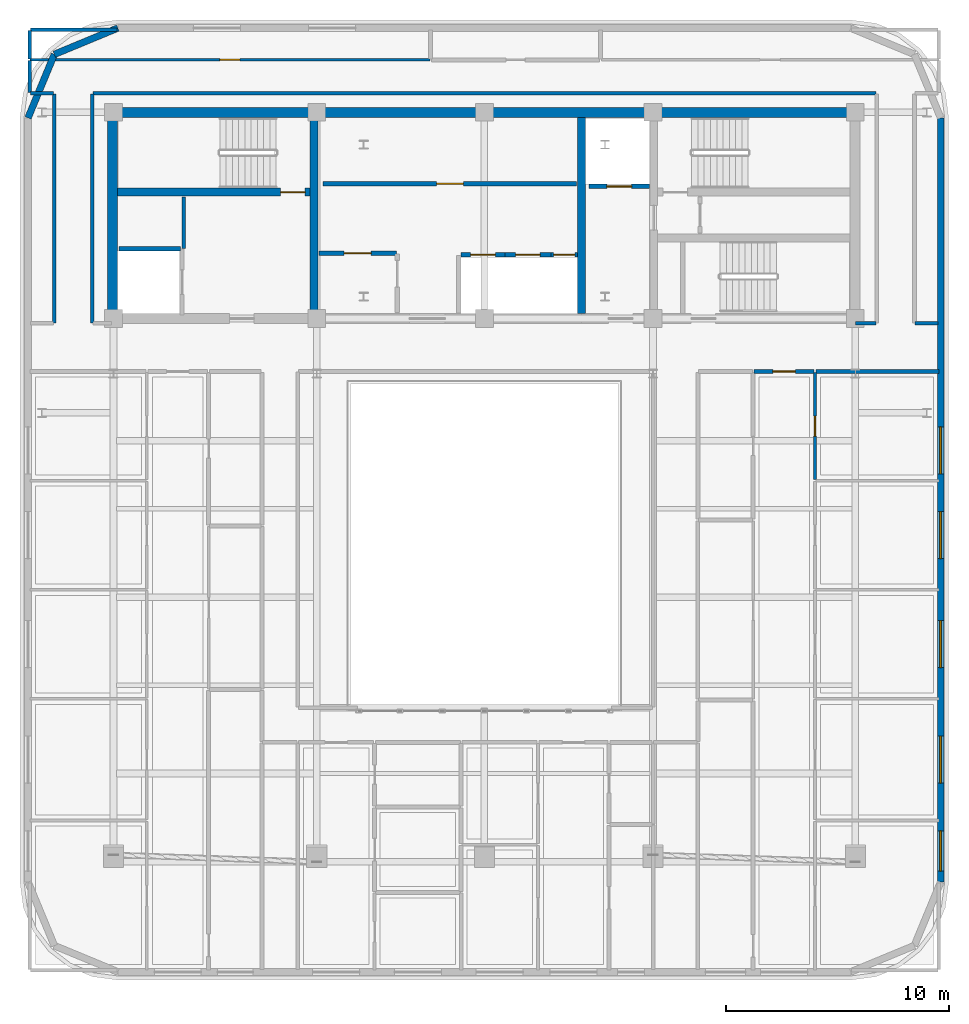
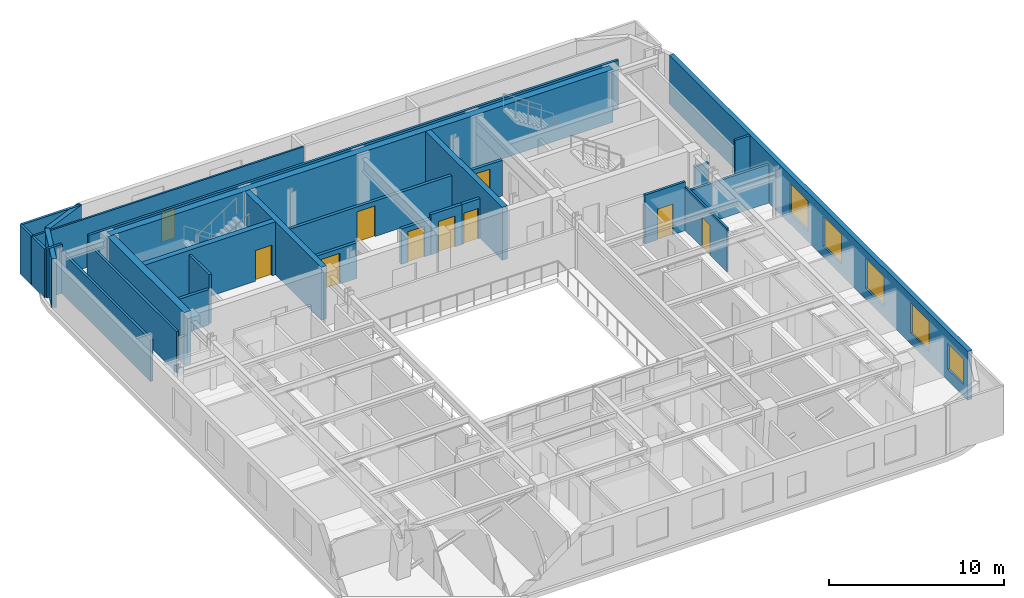
# One storey, part 9 of 13: 29 walls, 10 doors, 5 windows, 15 openings.
"""IFC4 building model written with IfcOpenShell, lengths in metres."""

from ifc_helpers import new_model, si_unit, direction, frame, frame_2d, origin, place, context, subcontext, project, spatial, rectangle, extrude, material, layer, layer_set, type_object, element, fill, save


model = new_model("IFC4")

# Units and contexts
model_context = context("Model", 3, precision=1e-05, world=origin(), true_north=direction((0.0, 1.0)))
body_context = subcontext(model_context, "Body", "Model", "MODEL_VIEW")
ifc_project = project(units=[si_unit("LENGTHUNIT", "METRE"), si_unit("AREAUNIT", "SQUARE_METRE"), si_unit("VOLUMEUNIT", "CUBIC_METRE"), si_unit("PLANEANGLEUNIT", "RADIAN"), si_unit("MASSUNIT", "GRAM", prefix="KILO")], contexts=[model_context])

# Site, building, storey
site_placement = place(None, origin())
site = spatial("IfcSite", under=ifc_project, at=site_placement, CompositionType="ELEMENT")
building_placement = place(site_placement, origin())
building = spatial("IfcBuilding", under=site, at=building_placement, Name="Zarnavel Station Tower", CompositionType="ELEMENT")
storey_placement = place(building_placement, frame((0.0, 0.0, 247.300048828125)))
storey = spatial("IfcBuildingStorey", under=building, at=storey_placement, Name="L67", CompositionType="ELEMENT", Elevation=247.300048828125)

# Walls
ifc_material_1 = material(Name="Concrete C50/60", Category="concrete")
ifc_layer_1 = layer(ifc_material_1, 0.35009765625)
ifc_layer_set_1 = layer_set([ifc_layer_1], Name="CW_350")
wall_type_1 = type_object("IfcWallType", Name="CW_350", PredefinedType="SHEAR", material=ifc_layer_set_1)
for number, where, z_axis, x_axis, name in (
    (1, (21.179931640625, 28.044921875, 0.0), (0.0, 0.0, 1.0), (0.0, 1.0, 0.0), "L67 Rear Core Shear Wall DIV-W"),
    (2, (33.14990234375, 28.044921875, 0.0), (0.0, 0.0, 1.0), (0.0, 1.0, 0.0), "L67 Rear Core Shear Wall DIV-E"),
):
    element("IfcWall", number, at=place(storey_placement, frame(where, z_axis=z_axis, x_axis=x_axis)), inside=storey, type_object=wall_type_1, Name=name, PredefinedType="SHEAR", context=body_context, shape_type="SweptSolid", body=[
        extrude(rectangle(XDim=8.780029296875, YDim=0.35009765625, at=frame_2d((4.39013671875, 0.0))), origin(), (0.0, 0.0, 1.0), 3.699951171875),
    ])

# Wall, opening, door
wall_1_placement = place(storey_placement, frame((21.0048828125, 33.47998046875, 0.0), z_axis=(0.0, 0.0, 1.0), x_axis=(-1.0, 0.0, 0.0)))
wall_1 = element("IfcWall", 3, at=wall_1_placement, inside=storey, type_object=wall_type_1, Name="L67 Rear Core Shear Wall DIV-H1", PredefinedType="SHEAR", context=body_context, shape_type="SweptSolid", body=[
    extrude(rectangle(XDim=8.6298828125, YDim=0.35009765625, at=frame_2d((4.31494140625, 0.0))), origin(), (0.0, 0.0, 1.0), 3.699951171875),
])
opening_1_placement = place(wall_1_placement, frame((0.219970703125, 0.0, 0.0)))
opening_1 = element("IfcOpeningElement", 4, at=opening_1_placement, cuts=wall_1, Name="Opening FD01", PredefinedType="OPENING", context=body_context, shape_type="SweptSolid", body=[
    extrude(rectangle(XDim=1.10009765625, YDim=2.14990234375, at=frame_2d((0.550048828125, 1.074951171875))), frame((0.0, 0.18505859375, 0.0), z_axis=(0.0, -1.0, 0.0), x_axis=(1.0, 0.0, 0.0)), (0.0, 0.0, 1.0), 0.3701171875),
])
ifc_material_2 = material(Name="Painted Galvanised Steel and Hardwood Leaf", Category="steel")
door_type_1 = type_object("IfcDoorType", Name="ID_STAIR_1100", OperationType="NOTDEFINED", PredefinedType="DOOR", material=ifc_material_2)
door_1_placement = place(opening_1_placement, origin())
door_1 = element("IfcDoor", 5, at=door_1_placement, inside=storey, type_object=door_type_1, Name="L67 Stair ST1 Lobby Fire Door", OperationType="SINGLE_SWING_LEFT", OverallHeight=2.14990234375, OverallWidth=1.10009765625, PredefinedType="DOOR", context=body_context, shape_type="SweptSolid", body=[
    extrude(rectangle(XDim=1.10009765625, YDim=2.14990234375, at=frame_2d((0.550048828125, 1.074951171875))), frame((0.0, 0.02490234375, 0.0), z_axis=(0.0, -1.0, 0.0), x_axis=(1.0, 0.0, 0.0)), (0.0, 0.0, 1.0), 0.050048828125),
])
fill(opening_1, door_1)

# Walls
ifc_material_3 = material(Name="Concrete C50/60", Category="concrete")
ifc_layer_2 = layer(ifc_material_3, 0.449951171875)
ifc_layer_set_2 = layer_set([ifc_layer_2], Name="CW_450")
wall_type_2 = type_object("IfcWallType", Name="CW_450", PredefinedType="SHEAR", material=ifc_layer_set_2)
wall_2_placement = place(storey_placement, frame((12.14990234375, 37.050048828125, 0.0), z_axis=(0.0, 0.0, 1.0), x_axis=(1.0, 0.0, 0.0)))
element("IfcWall", 6, at=wall_2_placement, inside=storey, type_object=wall_type_2, Name="L67 Rear Core Shear Wall N", PredefinedType="SHEAR", context=body_context, shape_type="SweptSolid", body=[
    extrude(rectangle(XDim=33.22998046875, YDim=0.449951171875, at=frame_2d((16.614990234375, 0.0))), origin(), (0.0, 0.0, 1.0), 3.699951171875),
])
wall_3_placement = place(storey_placement, frame((12.14990234375, 28.044921875, 0.0), z_axis=(0.0, 0.0, 1.0), x_axis=(0.0, 1.0, 0.0)))
element("IfcWall", 7, at=wall_3_placement, inside=storey, type_object=wall_type_2, Name="L67 Rear Core Shear Wall W", PredefinedType="SHEAR", context=body_context, shape_type="SweptSolid", body=[
    extrude(rectangle(XDim=8.780029296875, YDim=0.449951171875, at=frame_2d((4.39013671875, 0.0))), origin(), (0.0, 0.0, 1.0), 3.699951171875),
])

# Wall, openings, windows
ifc_material_4 = material(Name="Precast concrete C45/55 (Dark Basalt Finish)", Category="masonry")
ifc_layer_3 = layer(ifc_material_4, 0.300048828125)
ifc_layer_set_3 = layer_set([ifc_layer_3], Name="EW_BASALT_300")
wall_type_3 = type_object("IfcWallType", Name="EW_BASALT_300", PredefinedType="SOLIDWALL", material=ifc_layer_set_3)
wall_4_placement = place(storey_placement, frame((49.219970703125, 36.800048828125, 0.0), z_axis=(0.0, 0.0, 1.0), x_axis=(0.0, -1.0, 0.0)))
wall_4 = element("IfcWall", 8, at=wall_4_placement, inside=storey, type_object=wall_type_3, Name="L67 Exterior Basalt Masonry Frame Wall 03", PredefinedType="SOLIDWALL", context=body_context, shape_type="SweptSolid", body=[
    extrude(rectangle(XDim=34.199951171875, YDim=0.300048828125, at=frame_2d((17.10009765625, 0.0))), origin(), (0.0, 0.0, 1.0), 3.419921875),
])
opening_2_placement = place(wall_4_placement, frame((31.91162109375, 0.0, 0.800048828125)))
opening_2 = element("IfcOpeningElement", 9, at=opening_2_placement, cuts=wall_4, Name="Opening WN02", PredefinedType="OPENING", context=body_context, shape_type="SweptSolid", body=[
    extrude(rectangle(XDim=1.800048828125, YDim=1.800048828125, at=frame_2d((0.89990234375, 0.89990234375))), frame((0.0, 0.159912109375, 0.0), z_axis=(0.0, -1.0, 0.0), x_axis=(1.0, 0.0, 0.0)), (0.0, 0.0, 1.0), 0.320068359375),
])
opening_3_placement = place(wall_4_placement, frame((27.66845703125, 0.0, 0.75)))
opening_3 = element("IfcOpeningElement", 10, at=opening_3_placement, cuts=wall_4, Name="Opening WN05", PredefinedType="OPENING", context=body_context, shape_type="SweptSolid", body=[
    extrude(rectangle(XDim=2.10009765625, YDim=2.10009765625, at=frame_2d((1.050048828125, 1.050048828125))), frame((0.0, 0.159912109375, 0.0), z_axis=(0.0, -1.0, 0.0), x_axis=(1.0, 0.0, 0.0)), (0.0, 0.0, 1.0), 0.320068359375),
])
opening_4_placement = place(wall_4_placement, frame((22.50341796875, 0.0, 0.75)))
opening_4 = element("IfcOpeningElement", 11, at=opening_4_placement, cuts=wall_4, Name="Opening WN05", PredefinedType="OPENING", context=body_context, shape_type="SweptSolid", body=[
    extrude(rectangle(XDim=2.10009765625, YDim=2.10009765625, at=frame_2d((1.050048828125, 1.050048828125))), frame((0.0, 0.159912109375, 0.0), z_axis=(0.0, -1.0, 0.0), x_axis=(1.0, 0.0, 0.0)), (0.0, 0.0, 1.0), 0.320068359375),
])
opening_5_placement = place(wall_4_placement, frame((17.62255859375, 0.0, 0.75)))
opening_5 = element("IfcOpeningElement", 12, at=opening_5_placement, cuts=wall_4, Name="Opening WN05", PredefinedType="OPENING", context=body_context, shape_type="SweptSolid", body=[
    extrude(rectangle(XDim=2.10009765625, YDim=2.10009765625, at=frame_2d((1.050048828125, 1.050048828125))), frame((0.0, 0.159912109375, 0.0), z_axis=(0.0, -1.0, 0.0), x_axis=(1.0, 0.0, 0.0)), (0.0, 0.0, 1.0), 0.320068359375),
])
opening_6_placement = place(wall_4_placement, frame((13.83203125, 0.0, 0.75)))
opening_6 = element("IfcOpeningElement", 13, at=opening_6_placement, cuts=wall_4, Name="Opening WN05", PredefinedType="OPENING", context=body_context, shape_type="SweptSolid", body=[
    extrude(rectangle(XDim=2.10009765625, YDim=2.10009765625, at=frame_2d((1.050048828125, 1.050048828125))), frame((0.0, 0.159912109375, 0.0), z_axis=(0.0, -1.0, 0.0), x_axis=(1.0, 0.0, 0.0)), (0.0, 0.0, 1.0), 0.320068359375),
])
ifc_material_5 = material(Name="Thermally Broken Black Aluminium and Low-E Dark Glass", Category="aluminium")
window_type_1 = type_object("IfcWindowType", Name="WN_1800x1800", PartitioningType="DOUBLE_PANEL_VERTICAL", PredefinedType="WINDOW", material=ifc_material_5)
window_1_placement = place(opening_2_placement, origin())
window_1 = element("IfcWindow", 14, at=window_1_placement, inside=storey, type_object=window_type_1, Name="L67 Recessed Facade Window 01", OverallHeight=1.800048828125, OverallWidth=1.800048828125, PartitioningType="SINGLE_PANEL", PredefinedType="WINDOW", context=body_context, shape_type="SweptSolid", body=[
    extrude(rectangle(XDim=1.800048828125, YDim=1.800048828125, at=frame_2d((0.89990234375, 0.89990234375))), frame((0.0, 0.030029296875, 0.0), z_axis=(0.0, -1.0, 0.0), x_axis=(1.0, 0.0, 0.0)), (0.0, 0.0, 1.0), 0.06005859375),
])
fill(opening_2, window_1)
ifc_material_6 = material(Name="Thermally Broken Black Aluminium and Low-E Dark Glass", Category="aluminium")
window_type_2 = type_object("IfcWindowType", Name="WN_2100x2100", PartitioningType="TRIPLE_PANEL_VERTICAL", PredefinedType="WINDOW", material=ifc_material_6)
window_2_placement = place(opening_3_placement, origin())
window_2 = element("IfcWindow", 15, at=window_2_placement, inside=storey, type_object=window_type_2, Name="L67 Recessed Facade Window 02", OverallHeight=2.10009765625, OverallWidth=2.10009765625, PartitioningType="SINGLE_PANEL", PredefinedType="WINDOW", context=body_context, shape_type="SweptSolid", body=[
    extrude(rectangle(XDim=2.10009765625, YDim=2.10009765625, at=frame_2d((1.050048828125, 1.050048828125))), frame((0.0, 0.030029296875, 0.0), z_axis=(0.0, -1.0, 0.0), x_axis=(1.0, 0.0, 0.0)), (0.0, 0.0, 1.0), 0.06005859375),
])
fill(opening_3, window_2)
window_3_placement = place(opening_4_placement, origin())
window_3 = element("IfcWindow", 16, at=window_3_placement, inside=storey, type_object=window_type_2, Name="L67 Recessed Facade Window 03", OverallHeight=2.10009765625, OverallWidth=2.10009765625, PartitioningType="SINGLE_PANEL", PredefinedType="WINDOW", context=body_context, shape_type="SweptSolid", body=[
    extrude(rectangle(XDim=2.10009765625, YDim=2.10009765625, at=frame_2d((1.050048828125, 1.050048828125))), frame((0.0, 0.030029296875, 0.0), z_axis=(0.0, -1.0, 0.0), x_axis=(1.0, 0.0, 0.0)), (0.0, 0.0, 1.0), 0.06005859375),
])
fill(opening_4, window_3)
window_4_placement = place(opening_5_placement, origin())
window_4 = element("IfcWindow", 17, at=window_4_placement, inside=storey, type_object=window_type_2, Name="L67 Recessed Facade Window 04", OverallHeight=2.10009765625, OverallWidth=2.10009765625, PartitioningType="SINGLE_PANEL", PredefinedType="WINDOW", context=body_context, shape_type="SweptSolid", body=[
    extrude(rectangle(XDim=2.10009765625, YDim=2.10009765625, at=frame_2d((1.050048828125, 1.050048828125))), frame((0.0, 0.030029296875, 0.0), z_axis=(0.0, -1.0, 0.0), x_axis=(1.0, 0.0, 0.0)), (0.0, 0.0, 1.0), 0.06005859375),
])
fill(opening_5, window_4)
window_5_placement = place(opening_6_placement, origin())
window_5 = element("IfcWindow", 18, at=window_5_placement, inside=storey, type_object=window_type_2, Name="L67 Recessed Facade Window 05", OverallHeight=2.10009765625, OverallWidth=2.10009765625, PartitioningType="SINGLE_PANEL", PredefinedType="WINDOW", context=body_context, shape_type="SweptSolid", body=[
    extrude(rectangle(XDim=2.10009765625, YDim=2.10009765625, at=frame_2d((1.050048828125, 1.050048828125))), frame((0.0, 0.030029296875, 0.0), z_axis=(0.0, -1.0, 0.0), x_axis=(1.0, 0.0, 0.0)), (0.0, 0.0, 1.0), 0.06005859375),
])
fill(opening_6, window_5)

# Walls
for number, where, z_axis, x_axis, name in (
    (19, (9.557373046875, 39.642578125, 0.0), (0.0, 0.0, 1.0), (0.923870793506, 0.382704529509, 0.0), "L67 Exterior Basalt Masonry Frame Wall 07"),
    (20, (8.3798828125, 36.800048828125, 0.0), (0.0, 0.0, 1.0), (0.382704529509, 0.923870793506, 0.0), "L67 Exterior Basalt Masonry Frame Wall 08"),
):
    element("IfcWall", number, at=place(storey_placement, frame(where, z_axis=z_axis, x_axis=x_axis)), inside=storey, type_object=wall_type_3, Name=name, PredefinedType="SOLIDWALL", context=body_context, shape_type="SweptSolid", body=[
        extrude(rectangle(XDim=3.07666015625, YDim=0.300048828125, at=frame_2d((1.538330078125, 0.0))), origin(), (0.0, 0.0, 1.0), 3.419921875),
    ])

# Wall, opening, door
ifc_material_7 = material(Name="Gypsum Twin-Stud Acoustic Fire Partition", Category="concrete")
ifc_layer_4 = layer(ifc_material_7, 0.159912109375)
ifc_layer_set_4 = layer_set([ifc_layer_4], Name="PT_DEMISE_160")
wall_type_4 = type_object("IfcWallType", Name="PT_DEMISE_160", PredefinedType="PARTITIONING", material=ifc_layer_set_4)
wall_5_placement = place(storey_placement, frame((40.8720703125, 25.449951171875, 0.0), z_axis=(0.0, 0.0, 1.0), x_axis=(1.0, 0.0, 0.0)))
wall_5 = element("IfcWall", 21, at=wall_5_placement, inside=storey, type_object=wall_type_4, Name="L67 Partition COR-S-UE1LV", PredefinedType="PARTITIONING", context=body_context, shape_type="SweptSolid", body=[
    extrude(rectangle(XDim=2.681884765625, YDim=0.159912109375, at=frame_2d((1.3408203125, 0.0))), origin(), (0.0, 0.0, 1.0), 3.419921875),
])
opening_7_placement = place(wall_5_placement, frame((0.841064453125, 0.0, 0.0)))
opening_7 = element("IfcOpeningElement", 22, at=opening_7_placement, cuts=wall_5, Name="Opening FD02", PredefinedType="OPENING", context=body_context, shape_type="SweptSolid", body=[
    extrude(rectangle(XDim=1.0, YDim=2.14990234375, at=frame_2d((0.5, 1.074951171875))), frame((0.0, 0.08984375, 0.0), z_axis=(0.0, -1.0, 0.0), x_axis=(1.0, 0.0, 0.0)), (0.0, 0.0, 1.0), 0.179931640625),
])
ifc_material_8 = material(Name="Painted Galvanised Steel and Hardwood Leaf", Category="steel")
door_type_2 = type_object("IfcDoorType", Name="ID_ENTRY_1000", OperationType="NOTDEFINED", PredefinedType="DOOR", material=ifc_material_8)
door_2_placement = place(opening_7_placement, origin())
door_2 = element("IfcDoor", 23, at=door_2_placement, inside=storey, type_object=door_type_2, Name="L67 Door COR-S-UE1LV", OperationType="SINGLE_SWING_RIGHT", OverallHeight=2.14990234375, OverallWidth=1.0, PredefinedType="DOOR", context=body_context, shape_type="SweptSolid", body=[
    extrude(rectangle(XDim=1.0, YDim=2.14990234375, at=frame_2d((0.5, 1.074951171875))), frame((0.0, 0.02490234375, 0.0), z_axis=(0.0, -1.0, 0.0), x_axis=(1.0, 0.0, 0.0)), (0.0, 0.0, 1.0), 0.050048828125),
])
fill(opening_7, door_2)

# Walls
wall_6_placement = place(storey_placement, frame((43.634033203125, 25.449951171875, 0.0), z_axis=(0.0, 0.0, 1.0), x_axis=(1.0, 0.0, 0.0)))
element("IfcWall", 24, at=wall_6_placement, inside=storey, type_object=wall_type_4, Name="L67 Partition COR-S-UE1B5", PredefinedType="PARTITIONING", context=body_context, shape_type="SweptSolid", body=[
    extrude(rectangle(XDim=5.505859375, YDim=0.159912109375, at=frame_2d((2.7529296875, 0.0))), origin(), (0.0, 0.0, 1.0), 2.699951171875),
])
wall_7_placement = place(storey_placement, frame((15.35009765625, 30.9599609375, 0.0), z_axis=(0.0, 0.0, 1.0), x_axis=(0.0, 1.0, 0.0)))
element("IfcWall", 25, at=wall_7_placement, inside=storey, type_object=wall_type_4, Name="L67 Enclosure Wall FFL1", PredefinedType="PARTITIONING", context=body_context, shape_type="SweptSolid", body=[
    extrude(rectangle(XDim=2.31005859375, YDim=0.159912109375, at=frame_2d((1.155029296875, 0.0))), origin(), (0.0, 0.0, 1.0), 3.419921875),
])
wall_8_placement = place(storey_placement, frame((45.409912109375, 27.60009765625, 0.0), z_axis=(0.0, 0.0, 1.0), x_axis=(1.0, 0.0, 0.0)))
element("IfcWall", 26, at=wall_8_placement, inside=storey, type_object=wall_type_4, Name="L67 Enclosure Wall COR-S", PredefinedType="PARTITIONING", context=body_context, shape_type="SweptSolid", body=[
    extrude(rectangle(XDim=0.91015625, YDim=0.159912109375, at=frame_2d((0.455078125, 0.0))), origin(), (0.0, 0.0, 1.0), 2.489990234375),
])
wall_9_placement = place(storey_placement, frame((48.080078125, 27.60009765625, 0.0), z_axis=(0.0, 0.0, 1.0), x_axis=(1.0, 0.0, 0.0)))
element("IfcWall", 27, at=wall_9_placement, inside=storey, type_object=wall_type_4, Name="L67 Enclosure Wall COR-S", PredefinedType="PARTITIONING", context=body_context, shape_type="SweptSolid", body=[
    extrude(rectangle(XDim=1.030029296875, YDim=0.159912109375, at=frame_2d((0.51513671875, 0.0))), origin(), (0.0, 0.0, 1.0), 3.419921875),
])
for number, where, z_axis, x_axis, name in (
    (28, (9.550048828125, 27.6298828125, 0.0), (0.0, 0.0, 1.0), (0.0, 1.0, 0.0), "L67 Enclosure Wall COR-W"),
    (29, (11.25, 27.6298828125, 0.0), (0.0, 0.0, 1.0), (0.0, 1.0, 0.0), "L67 Enclosure Wall COR-W"),
):
    element("IfcWall", number, at=place(storey_placement, frame(where, z_axis=z_axis, x_axis=x_axis)), inside=storey, type_object=wall_type_4, Name=name, PredefinedType="PARTITIONING", context=body_context, shape_type="SweptSolid", body=[
        extrude(rectangle(XDim=10.240234375, YDim=0.159912109375, at=frame_2d((5.1201171875, 0.0))), origin(), (0.0, 0.0, 1.0), 2.89990234375),
    ])
wall_10_placement = place(storey_placement, frame((8.489990234375, 37.89990234375, 0.0), z_axis=(0.0, 0.0, 1.0), x_axis=(1.0, 0.0, 0.0)))
element("IfcWall", 30, at=wall_10_placement, inside=storey, type_object=wall_type_4, Name="L67 Enclosure Wall COR-N", PredefinedType="PARTITIONING", context=body_context, shape_type="SweptSolid", body=[
    extrude(rectangle(XDim=1.030029296875, YDim=0.159912109375, at=frame_2d((0.51513671875, 0.0))), origin(), (0.0, 0.0, 1.0), 3.419921875),
])
wall_11_placement = place(storey_placement, frame((11.280029296875, 37.89990234375, 0.0), z_axis=(0.0, 0.0, 1.0), x_axis=(1.0, 0.0, 0.0)))
element("IfcWall", 31, at=wall_11_placement, inside=storey, type_object=wall_type_4, Name="L67 Enclosure Wall COR-N", PredefinedType="PARTITIONING", context=body_context, shape_type="SweptSolid", body=[
    extrude(rectangle(XDim=35.0400390625, YDim=0.159912109375, at=frame_2d((17.52001953125, 0.0))), origin(), (0.0, 0.0, 1.0), 3.419921875),
])
wall_12_placement = place(storey_placement, frame((8.4599609375, 37.929931640625, 0.0), z_axis=(0.0, 0.0, 1.0), x_axis=(0.0, 1.0, 0.0)))
element("IfcWall", 32, at=wall_12_placement, inside=storey, type_object=wall_type_4, Name="L67 Enclosure Wall COR-N", PredefinedType="PARTITIONING", context=body_context, shape_type="SweptSolid", body=[
    extrude(rectangle(XDim=1.440185546875, YDim=0.159912109375, at=frame_2d((0.72021484375, 0.0))), origin(), (0.0, 0.0, 1.0), 3.419921875),
])
wall_13_placement = place(storey_placement, frame((8.489990234375, 40.739990234375, 0.0), z_axis=(0.0, 0.0, 1.0), x_axis=(1.0, 0.0, 0.0)))
element("IfcWall", 33, at=wall_13_placement, inside=storey, type_object=wall_type_4, Name="L67 Enclosure Wall NSTD", PredefinedType="PARTITIONING", context=body_context, shape_type="SweptSolid", body=[
    extrude(rectangle(XDim=3.880126953125, YDim=0.159912109375, at=frame_2d((1.93994140625, 0.0))), origin(), (0.0, 0.0, 1.0), 3.419921875),
])
wall_14_placement = place(storey_placement, frame((8.4599609375, 39.429931640625, 0.0), z_axis=(0.0, 0.0, 1.0), x_axis=(0.0, 1.0, 0.0)))
element("IfcWall", 34, at=wall_14_placement, inside=storey, type_object=wall_type_4, Name="L67 Enclosure Wall NSTD", PredefinedType="PARTITIONING", context=body_context, shape_type="SweptSolid", body=[
    extrude(rectangle(XDim=1.280029296875, YDim=0.159912109375, at=frame_2d((0.64013671875, 0.0))), origin(), (0.0, 0.0, 1.0), 3.419921875),
])

# Wall, opening, door
ifc_material_9 = material(Name="Gypsum Metal-Stud Interior Partition", Category="concrete")
ifc_layer_5 = layer(ifc_material_9, 0.1201171875)
ifc_layer_set_5 = layer_set([ifc_layer_5], Name="PT_ROOM_120")
wall_type_5 = type_object("IfcWallType", Name="PT_ROOM_120", PredefinedType="PARTITIONING", material=ifc_layer_set_5)
wall_15_placement = place(storey_placement, frame((8.4599609375, 39.39990234375, 0.0), z_axis=(0.0, 0.0, 1.0), x_axis=(1.0, 0.0, 0.0)))
wall_15 = element("IfcWall", 35, at=wall_15_placement, inside=storey, type_object=wall_type_5, Name="L67 Partition COR-N-NSTD", PredefinedType="PARTITIONING", context=body_context, shape_type="SweptSolid", body=[
    extrude(rectangle(XDim=17.900146484375, YDim=0.1201171875, at=frame_2d((8.9501953125, 0.0))), origin(), (0.0, 0.0, 1.0), 3.419921875),
])
opening_8_placement = place(wall_15_placement, frame((8.5, 0.0, 0.0)))
opening_8 = element("IfcOpeningElement", 36, at=opening_8_placement, cuts=wall_15, Name="Opening ID01", PredefinedType="OPENING", context=body_context, shape_type="SweptSolid", body=[
    extrude(rectangle(XDim=0.89990234375, YDim=2.10009765625, at=frame_2d((0.449951171875, 1.050048828125))), frame((0.0, 0.070068359375, 0.0), z_axis=(0.0, -1.0, 0.0), x_axis=(1.0, 0.0, 0.0)), (0.0, 0.0, 1.0), 0.14013671875),
])
ifc_material_10 = material(Name="Painted Galvanised Steel and Hardwood Leaf", Category="steel")
door_type_3 = type_object("IfcDoorType", Name="ID_ROOM_900", OperationType="NOTDEFINED", PredefinedType="DOOR", material=ifc_material_10)
door_3_placement = place(opening_8_placement, origin())
door_3 = element("IfcDoor", 37, at=door_3_placement, inside=storey, type_object=door_type_3, Name="L67 Door COR-N-NSTD", OperationType="SINGLE_SWING_LEFT", OverallHeight=2.10009765625, OverallWidth=0.89990234375, PredefinedType="DOOR", context=body_context, shape_type="SweptSolid", body=[
    extrude(rectangle(XDim=0.89990234375, YDim=2.10009765625, at=frame_2d((0.449951171875, 1.050048828125))), frame((0.0, 0.02490234375, 0.0), z_axis=(0.0, -1.0, 0.0), x_axis=(1.0, 0.0, 0.0)), (0.0, 0.0, 1.0), 0.050048828125),
])
fill(opening_8, door_3)

wall_16_placement = place(storey_placement, frame((43.593994140625, 20.60791015625, 0.0), z_axis=(0.0, 0.0, 1.0), x_axis=(0.0, 1.0, 0.0)))
wall_16 = element("IfcWall", 38, at=wall_16_placement, inside=storey, type_object=wall_type_5, Name="L67 Partition UE1LV-UE1B5", PredefinedType="PARTITIONING", context=body_context, shape_type="SweptSolid", body=[
    extrude(rectangle(XDim=4.802001953125, YDim=0.1201171875, at=frame_2d((2.40087890625, 0.0))), origin(), (0.0, 0.0, 1.0), 3.050048828125),
])
opening_9_placement = place(wall_16_placement, frame((1.950927734375, 0.0, 0.0)))
opening_9 = element("IfcOpeningElement", 39, at=opening_9_placement, cuts=wall_16, Name="Opening ID01", PredefinedType="OPENING", context=body_context, shape_type="SweptSolid", body=[
    extrude(rectangle(XDim=0.89990234375, YDim=2.10009765625, at=frame_2d((0.449951171875, 1.050048828125))), frame((0.0, 0.070068359375, 0.0), z_axis=(0.0, -1.0, 0.0), x_axis=(1.0, 0.0, 0.0)), (0.0, 0.0, 1.0), 0.14013671875),
])
door_4_placement = place(opening_9_placement, origin())
door_4 = element("IfcDoor", 40, at=door_4_placement, inside=storey, type_object=door_type_3, Name="L67 Door UE1LV-UE1B5", OperationType="SINGLE_SWING_RIGHT", OverallHeight=2.10009765625, OverallWidth=0.89990234375, PredefinedType="DOOR", context=body_context, shape_type="SweptSolid", body=[
    extrude(rectangle(XDim=0.89990234375, YDim=2.10009765625, at=frame_2d((0.449951171875, 1.050048828125))), frame((0.0, 0.02490234375, 0.0), z_axis=(0.0, -1.0, 0.0), x_axis=(1.0, 0.0, 0.0)), (0.0, 0.0, 1.0), 0.050048828125),
])
fill(opening_9, door_4)

# Wall
ifc_material_11 = material(Name="Precast concrete C45/55 (Fire Shaft Blockwork)", Category="masonry")
ifc_layer_6 = layer(ifc_material_11, 0.199951171875)
ifc_layer_set_6 = layer_set([ifc_layer_6], Name="PT_SHAFT_200")
wall_type_6 = type_object("IfcWallType", Name="PT_SHAFT_200", PredefinedType="PARTITIONING", material=ifc_layer_set_6)
wall_17_placement = place(storey_placement, frame((12.449951171875, 30.949951171875, 0.0), z_axis=(0.0, 0.0, 1.0), x_axis=(1.0, 0.0, 0.0)))
element("IfcWall", 41, at=wall_17_placement, inside=storey, type_object=wall_type_6, Name="L67 Lift FFL-01 North Shaft Wall", PredefinedType="PARTITIONING", context=body_context, shape_type="SweptSolid", body=[
    extrude(rectangle(XDim=2.75, YDim=0.199951171875, at=frame_2d((1.375, 0.0))), origin(), (0.0, 0.0, 1.0), 2.489990234375),
])

# Wall, opening, door
wall_18_placement = place(storey_placement, frame((33.47509765625, 33.72998046875, 0.0), z_axis=(0.0, 0.0, 1.0), x_axis=(1.0, 0.0, 0.0)))
wall_18 = element("IfcWall", 42, at=wall_18_placement, inside=storey, type_object=wall_type_6, Name="L67 Lift FFL-02 Shaft Front Wall", PredefinedType="PARTITIONING", context=body_context, shape_type="SweptSolid", body=[
    extrude(rectangle(XDim=2.724853515625, YDim=0.199951171875, at=frame_2d((1.3623046875, 0.0))), origin(), (0.0, 0.0, 1.0), 2.489990234375),
])
opening_10_placement = place(wall_18_placement, frame((0.8125, 0.0, 0.0)))
opening_10 = element("IfcOpeningElement", 43, at=opening_10_placement, cuts=wall_18, Name="Opening LD01", PredefinedType="OPENING", context=body_context, shape_type="SweptSolid", body=[
    extrude(rectangle(XDim=1.10009765625, YDim=2.14990234375, at=frame_2d((0.550048828125, 1.074951171875))), frame((0.0, 0.10986328125, 0.0), z_axis=(0.0, -1.0, 0.0), x_axis=(1.0, 0.0, 0.0)), (0.0, 0.0, 1.0), 0.219970703125),
])
ifc_material_12 = material(Name="Painted Galvanised Steel and Hardwood Leaf", Category="steel")
door_type_4 = type_object("IfcDoorType", Name="LD_FF_1100", OperationType="DOUBLE_DOOR_SLIDING", PredefinedType="DOOR", material=ifc_material_12)
door_5_placement = place(opening_10_placement, origin())
door_5 = element("IfcDoor", 44, at=door_5_placement, inside=storey, type_object=door_type_4, Name="L67 Lift FFL-02 Sliding Landing Door", OperationType="DOUBLE_DOOR_SLIDING", OverallHeight=2.14990234375, OverallWidth=1.10009765625, PredefinedType="DOOR", context=body_context, shape_type="SweptSolid", body=[
    extrude(rectangle(XDim=1.10009765625, YDim=2.14990234375, at=frame_2d((0.550048828125, 1.074951171875))), frame((0.0, 0.02490234375, 0.0), z_axis=(0.0, -1.0, 0.0), x_axis=(1.0, 0.0, 0.0)), (0.0, 0.0, 1.0), 0.050048828125),
])
fill(opening_10, door_5)

wall_19_placement = place(storey_placement, frame((27.75, 30.669921875, 0.0), z_axis=(0.0, 0.0, 1.0), x_axis=(1.0, 0.0, 0.0)))
wall_19 = element("IfcWall", 45, at=wall_19_placement, inside=storey, type_object=wall_type_6, Name="L67 Lift PL-H1 Shaft Front Wall", PredefinedType="PARTITIONING", context=body_context, shape_type="SweptSolid", body=[
    extrude(rectangle(XDim=1.97509765625, YDim=0.199951171875, at=frame_2d((0.987548828125, 0.0))), origin(), (0.0, 0.0, 1.0), 2.489990234375),
])
opening_11_placement = place(wall_19_placement, frame((0.4375, 0.0, 0.0)))
opening_11 = element("IfcOpeningElement", 46, at=opening_11_placement, cuts=wall_19, Name="Opening LD02", PredefinedType="OPENING", context=body_context, shape_type="SweptSolid", body=[
    extrude(rectangle(XDim=1.10009765625, YDim=2.14990234375, at=frame_2d((0.550048828125, 1.074951171875))), frame((0.0, 0.10986328125, 0.0), z_axis=(0.0, -1.0, 0.0), x_axis=(1.0, 0.0, 0.0)), (0.0, 0.0, 1.0), 0.219970703125),
])
ifc_material_13 = material(Name="Painted Galvanised Steel and Hardwood Leaf", Category="steel")
door_type_5 = type_object("IfcDoorType", Name="LD_PAX_1100", OperationType="DOUBLE_DOOR_SLIDING", PredefinedType="DOOR", material=ifc_material_13)
door_6_placement = place(opening_11_placement, origin())
door_6 = element("IfcDoor", 47, at=door_6_placement, inside=storey, type_object=door_type_5, Name="L67 Lift PL-H1 Sliding Landing Door", OperationType="DOUBLE_DOOR_SLIDING", OverallHeight=2.14990234375, OverallWidth=1.10009765625, PredefinedType="DOOR", context=body_context, shape_type="SweptSolid", body=[
    extrude(rectangle(XDim=1.10009765625, YDim=2.14990234375, at=frame_2d((0.550048828125, 1.074951171875))), frame((0.0, 0.02490234375, 0.0), z_axis=(0.0, -1.0, 0.0), x_axis=(1.0, 0.0, 0.0)), (0.0, 0.0, 1.0), 0.050048828125),
])
fill(opening_11, door_6)

wall_20_placement = place(storey_placement, frame((29.72509765625, 30.669921875, 0.0), z_axis=(0.0, 0.0, 1.0), x_axis=(1.0, 0.0, 0.0)))
wall_20 = element("IfcWall", 48, at=wall_20_placement, inside=storey, type_object=wall_type_6, Name="L67 Lift PL-H2 Shaft Front Wall", PredefinedType="PARTITIONING", context=body_context, shape_type="SweptSolid", body=[
    extrude(rectangle(XDim=2.0498046875, YDim=0.199951171875, at=frame_2d((1.02490234375, 0.0))), origin(), (0.0, 0.0, 1.0), 2.800048828125),
])
opening_12_placement = place(wall_20_placement, frame((0.47509765625, 0.0, 0.0)))
opening_12 = element("IfcOpeningElement", 49, at=opening_12_placement, cuts=wall_20, Name="Opening LD02", PredefinedType="OPENING", context=body_context, shape_type="SweptSolid", body=[
    extrude(rectangle(XDim=1.10009765625, YDim=2.14990234375, at=frame_2d((0.550048828125, 1.074951171875))), frame((0.0, 0.10986328125, 0.0), z_axis=(0.0, -1.0, 0.0), x_axis=(1.0, 0.0, 0.0)), (0.0, 0.0, 1.0), 0.219970703125),
])
door_7_placement = place(opening_12_placement, origin())
door_7 = element("IfcDoor", 50, at=door_7_placement, inside=storey, type_object=door_type_5, Name="L67 Lift PL-H2 Sliding Landing Door", OperationType="DOUBLE_DOOR_SLIDING", OverallHeight=2.14990234375, OverallWidth=1.10009765625, PredefinedType="DOOR", context=body_context, shape_type="SweptSolid", body=[
    extrude(rectangle(XDim=1.10009765625, YDim=2.14990234375, at=frame_2d((0.550048828125, 1.074951171875))), frame((0.0, 0.02490234375, 0.0), z_axis=(0.0, -1.0, 0.0), x_axis=(1.0, 0.0, 0.0)), (0.0, 0.0, 1.0), 0.050048828125),
])
fill(opening_12, door_7)

wall_21_placement = place(storey_placement, frame((31.77490234375, 30.669921875, 0.0), z_axis=(0.0, 0.0, 1.0), x_axis=(1.0, 0.0, 0.0)))
wall_21 = element("IfcWall", 51, at=wall_21_placement, inside=storey, type_object=wall_type_6, Name="L67 Lift PL-H3 Shaft Front Wall", PredefinedType="PARTITIONING", context=body_context, shape_type="SweptSolid", body=[
    extrude(rectangle(XDim=1.2001953125, YDim=0.199951171875, at=frame_2d((0.60009765625, 0.0))), origin(), (0.0, 0.0, 1.0), 2.800048828125),
])
opening_13_placement = place(wall_21_placement, frame((0.125, 0.0, 0.0)))
opening_13 = element("IfcOpeningElement", 52, at=opening_13_placement, cuts=wall_21, Name="Opening LD03", PredefinedType="OPENING", context=body_context, shape_type="SweptSolid", body=[
    extrude(rectangle(XDim=0.949951171875, YDim=2.14990234375, at=frame_2d((0.47509765625, 1.074951171875))), frame((0.0, 0.10986328125, 0.0), z_axis=(0.0, -1.0, 0.0), x_axis=(1.0, 0.0, 0.0)), (0.0, 0.0, 1.0), 0.219970703125),
])
ifc_material_14 = material(Name="Painted Galvanised Steel and Hardwood Leaf", Category="steel")
door_type_6 = type_object("IfcDoorType", Name="LD_PAX_0950", OperationType="DOUBLE_DOOR_SLIDING", PredefinedType="DOOR", material=ifc_material_14)
door_8_placement = place(opening_13_placement, origin())
door_8 = element("IfcDoor", 53, at=door_8_placement, inside=storey, type_object=door_type_6, Name="L67 Lift PL-H3 Sliding Landing Door", OperationType="DOUBLE_DOOR_SLIDING", OverallHeight=2.14990234375, OverallWidth=0.949951171875, PredefinedType="DOOR", context=body_context, shape_type="SweptSolid", body=[
    extrude(rectangle(XDim=0.949951171875, YDim=2.14990234375, at=frame_2d((0.47509765625, 1.074951171875))), frame((0.0, 0.02490234375, 0.0), z_axis=(0.0, -1.0, 0.0), x_axis=(1.0, 0.0, 0.0)), (0.0, 0.0, 1.0), 0.050048828125),
])
fill(opening_13, door_8)

wall_22_placement = place(storey_placement, frame((21.39990234375, 30.75, 0.0), z_axis=(0.0, 0.0, 1.0), x_axis=(1.0, 0.0, 0.0)))
wall_22 = element("IfcWall", 54, at=wall_22_placement, inside=storey, type_object=wall_type_6, Name="L67 Partition LLOB-CS1", PredefinedType="PARTITIONING", context=body_context, shape_type="SweptSolid", body=[
    extrude(rectangle(XDim=3.460205078125, YDim=0.199951171875, at=frame_2d((1.72998046875, 0.0))), origin(), (0.0, 0.0, 1.0), 2.489990234375),
])
opening_14_placement = place(wall_22_placement, frame((1.1298828125, 0.0, 0.0)))
opening_14 = element("IfcOpeningElement", 55, at=opening_14_placement, cuts=wall_22, Name="Opening FD03", PredefinedType="OPENING", context=body_context, shape_type="SweptSolid", body=[
    extrude(rectangle(XDim=1.199951171875, YDim=2.14990234375, at=frame_2d((0.60009765625, 1.074951171875))), frame((0.0, 0.10986328125, 0.0), z_axis=(0.0, -1.0, 0.0), x_axis=(1.0, 0.0, 0.0)), (0.0, 0.0, 1.0), 0.219970703125),
])
ifc_material_15 = material(Name="Painted Galvanised Steel and Hardwood Leaf", Category="steel")
door_type_7 = type_object("IfcDoorType", Name="ID_PLANT_1200", OperationType="NOTDEFINED", PredefinedType="DOOR", material=ifc_material_15)
door_9_placement = place(opening_14_placement, origin())
door_9 = element("IfcDoor", 56, at=door_9_placement, inside=storey, type_object=door_type_7, Name="L67 Door LLOB-CS1", OperationType="SINGLE_SWING_RIGHT", OverallHeight=2.14990234375, OverallWidth=1.199951171875, PredefinedType="DOOR", context=body_context, shape_type="SweptSolid", body=[
    extrude(rectangle(XDim=1.199951171875, YDim=2.14990234375, at=frame_2d((0.60009765625, 1.074951171875))), frame((0.0, 0.02490234375, 0.0), z_axis=(0.0, -1.0, 0.0), x_axis=(1.0, 0.0, 0.0)), (0.0, 0.0, 1.0), 0.050048828125),
])
fill(opening_14, door_9)

wall_23_placement = place(storey_placement, frame((21.590087890625, 33.85009765625, 0.0), z_axis=(0.0, 0.0, 1.0), x_axis=(1.0, 0.0, 0.0)))
wall_23 = element("IfcWall", 57, at=wall_23_placement, inside=storey, type_object=wall_type_6, Name="L67 Partition LLOB-FB2A", PredefinedType="PARTITIONING", context=body_context, shape_type="SweptSolid", body=[
    extrude(rectangle(XDim=11.33984375, YDim=0.199951171875, at=frame_2d((5.669921875, 0.0))), origin(), (0.0, 0.0, 1.0), 2.489990234375),
])
opening_15_placement = place(wall_23_placement, frame((5.070068359375, 0.0, 0.0)))
opening_15 = element("IfcOpeningElement", 58, at=opening_15_placement, cuts=wall_23, Name="Opening FD03", PredefinedType="OPENING", context=body_context, shape_type="SweptSolid", body=[
    extrude(rectangle(XDim=1.199951171875, YDim=2.14990234375, at=frame_2d((0.60009765625, 1.074951171875))), frame((0.0, 0.10986328125, 0.0), z_axis=(0.0, -1.0, 0.0), x_axis=(1.0, 0.0, 0.0)), (0.0, 0.0, 1.0), 0.219970703125),
])
door_10_placement = place(opening_15_placement, origin())
door_10 = element("IfcDoor", 59, at=door_10_placement, inside=storey, type_object=door_type_7, Name="L67 Door LLOB-FB2A", OperationType="SINGLE_SWING_LEFT", OverallHeight=2.14990234375, OverallWidth=1.199951171875, PredefinedType="DOOR", context=body_context, shape_type="SweptSolid", body=[
    extrude(rectangle(XDim=1.199951171875, YDim=2.14990234375, at=frame_2d((0.60009765625, 1.074951171875))), frame((0.0, 0.02490234375, 0.0), z_axis=(0.0, -1.0, 0.0), x_axis=(1.0, 0.0, 0.0)), (0.0, 0.0, 1.0), 0.050048828125),
])
fill(opening_15, door_10)

save(model, "model.ifc")
